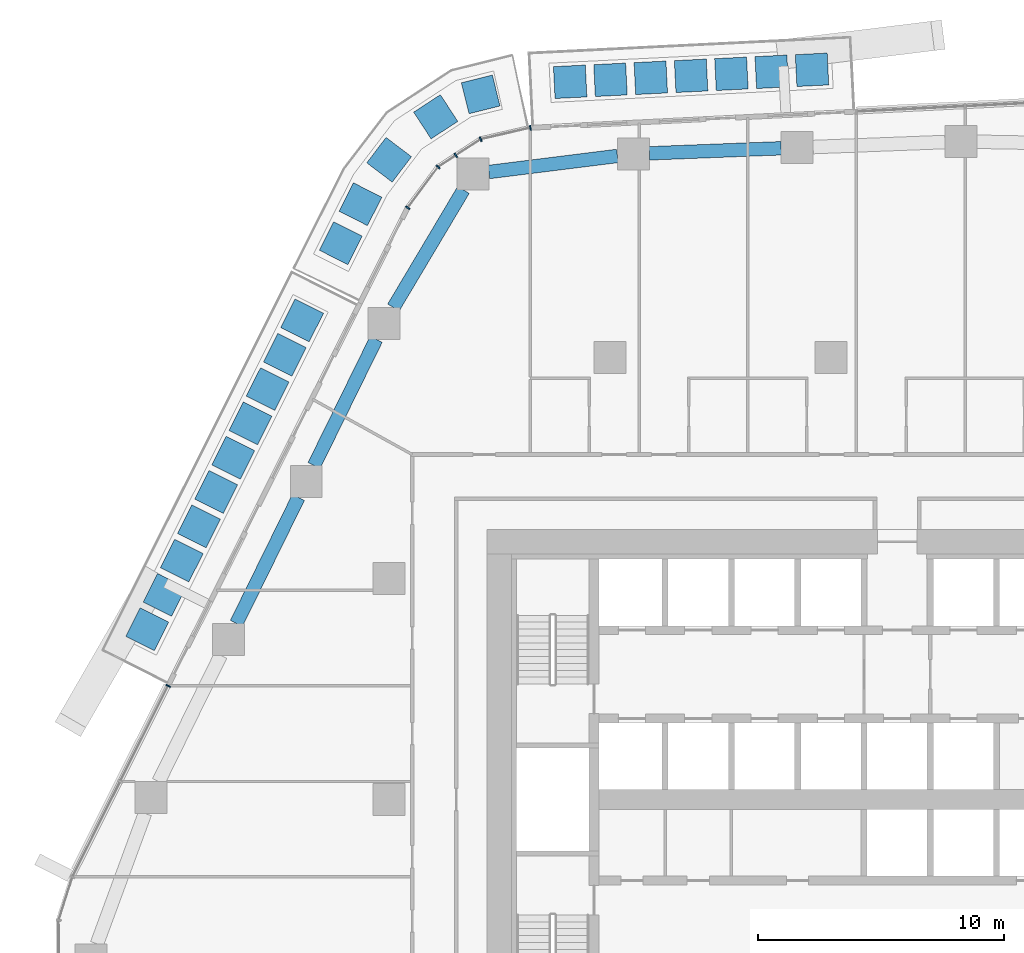
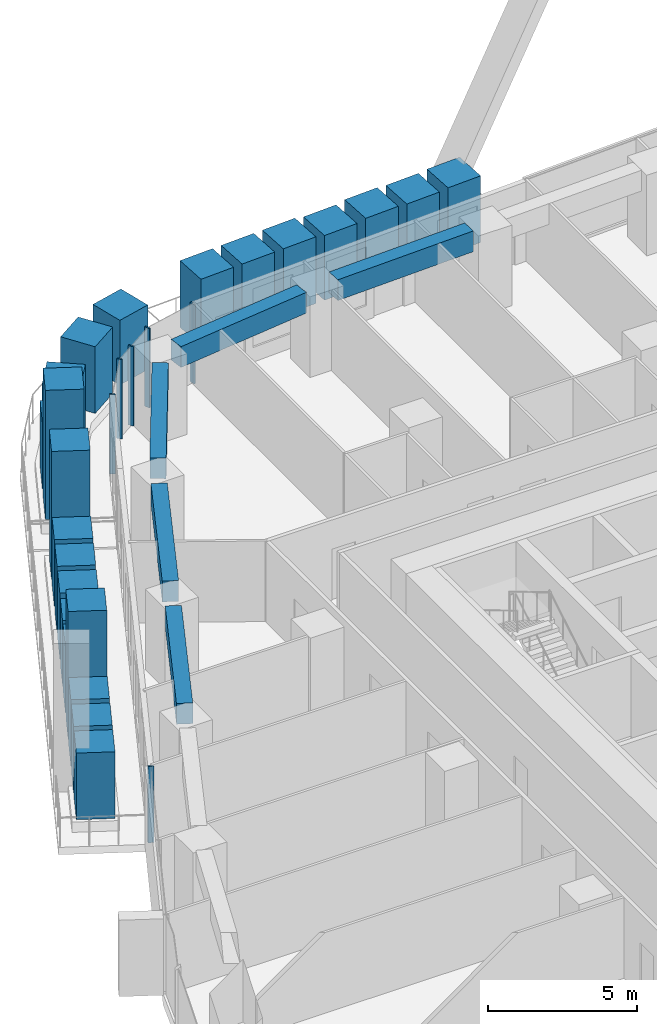
# One storey, part 6 of 25: 28 members, 5 beams, 3 elements without a shape of their own.
"""IFC4 building model written with IfcOpenShell, lengths in metres."""

from ifc_helpers import new_model, si_unit, direction, frame, origin, origin_2d, place, context, subcontext, project, spatial, rectangle, extrude, material, layer, layer_set, material_profile, profile_set, type_object, element, aggregate, save


model = new_model("IFC4")

# Units and contexts
model_context = context("Model", 3, precision=1e-05, world=origin(), true_north=direction((0.0, 1.0)))
body_context = subcontext(model_context, "Body", "Model", "MODEL_VIEW")
ifc_project = project(units=[si_unit("LENGTHUNIT", "METRE"), si_unit("AREAUNIT", "SQUARE_METRE"), si_unit("VOLUMEUNIT", "CUBIC_METRE"), si_unit("PLANEANGLEUNIT", "RADIAN"), si_unit("MASSUNIT", "GRAM", prefix="KILO")], contexts=[model_context])

# Site, building, storey
site_placement = place(None, origin())
site = spatial("IfcSite", under=ifc_project, at=site_placement, CompositionType="ELEMENT")
building_placement = place(site_placement, origin())
building = spatial("IfcBuilding", under=site, at=building_placement, Name="Dongbaek Canopy Tower", CompositionType="ELEMENT")
storey_placement = place(building_placement, frame((0.0, 0.0, 102.60009765625)))
storey = spatial("IfcBuildingStorey", under=building, at=storey_placement, Name="L21", CompositionType="ELEMENT", Elevation=102.60009765625)

# Curtain wall, members
ifc_material_1 = material(Name="Aluminium 6063-T6 pale anodised", Category="aluminium")
ifc_layer = layer(ifc_material_1, 0.199951171875)
ifc_layer_set = layer_set([ifc_layer], Name="CW-1 unitised tower curtain wall")
curtain_wall_type = type_object("IfcCurtainWallType", Name="CW-1 unitised tower curtain wall", PredefinedType="NOTDEFINED", material=ifc_layer_set)
curtain_wall_1_placement = place(storey_placement, origin())
curtain_wall_1 = element("IfcCurtainWall", 1, at=curtain_wall_1_placement, inside=storey, type_object=curtain_wall_type, Name="CW-1 curtain wall K2.1a", PredefinedType="NOTDEFINED")
ifc_material_2 = material(Name="Aluminium 6063-T6 pale anodised", Category="aluminium")
ifc_material_profile_1 = material_profile(ifc_material_2, rectangle(XDim=0.199951171875, YDim=0.06005859375, at=origin_2d()), Name="CW-1 mullion 60 x 200")
ifc_profile_set_1 = profile_set([ifc_material_profile_1], Name="Aluminium 6063-T6 pale anodised")
member_type_1 = type_object("IfcMemberType", Name="CW-1 mullion 60 x 200", PredefinedType="MULLION", material=ifc_profile_set_1)
member_1_placement = place(storey_placement, frame((-12.238037109375, 27.353759765625, 0.0), z_axis=(0.0, 0.0, 1.0), x_axis=(-0.223774189134, 0.974641017133, 0.0)))
member_1 = element("IfcMember", 2, at=member_1_placement, type_object=member_type_1, Name="CW-1 mullion K2.1a.1", PredefinedType="MULLION", context=body_context, shape_type="SweptSolid", body=[
    extrude(rectangle(XDim=0.199951171875, YDim=0.06005859375, at=origin_2d()), origin(), (0.0, 0.0, 1.0), 3.25),
])
member_2_placement = place(storey_placement, frame((-14.261474609375, 26.889404296875, 0.0), z_axis=(0.0, 0.0, 1.0), x_axis=(-0.39108657769, 0.920353893212, 0.0)))
member_2 = element("IfcMember", 3, at=member_2_placement, type_object=member_type_1, Name="CW-1 mullion K2.1a.2", PredefinedType="MULLION", context=body_context, shape_type="SweptSolid", body=[
    extrude(rectangle(XDim=0.199951171875, YDim=0.06005859375, at=origin_2d()), origin(), (0.0, 0.0, 1.0), 3.25),
])
member_3_placement = place(storey_placement, frame((-15.27099609375, 26.23095703125, 0.0), z_axis=(0.0, 0.0, 1.0), x_axis=(-0.546298541371, 0.837590534626, 0.0)))
member_3 = element("IfcMember", 4, at=member_3_placement, type_object=member_type_1, Name="CW-1 mullion K2.1a.3", PredefinedType="MULLION", context=body_context, shape_type="SweptSolid", body=[
    extrude(rectangle(XDim=0.199951171875, YDim=0.06005859375, at=origin_2d()), origin(), (0.0, 0.0, 1.0), 3.25),
])
aggregate(curtain_wall_1, [member_1, member_2, member_3])

curtain_wall_2_placement = place(storey_placement, origin())
curtain_wall_2 = element("IfcCurtainWall", 5, at=curtain_wall_2_placement, inside=storey, type_object=curtain_wall_type, Name="CW-1 curtain wall K2.1b", PredefinedType="NOTDEFINED")
member_4_placement = place(storey_placement, frame((-15.99267578125, 25.760009765625, 0.0), z_axis=(0.0, 0.0, 1.0), x_axis=(-0.684607740177, 0.728911683327, 0.0)))
member_4 = element("IfcMember", 6, at=member_4_placement, type_object=member_type_1, Name="CW-1 mullion K2.1b.2", PredefinedType="MULLION", context=body_context, shape_type="SweptSolid", body=[
    extrude(rectangle(XDim=0.199951171875, YDim=0.06005859375, at=origin_2d()), origin(), (0.0, 0.0, 1.0), 3.25),
])
member_5_placement = place(storey_placement, frame((-17.2333984375, 24.095703125, 0.0), z_axis=(0.0, 0.0, 1.0), x_axis=(-0.80173481458, 0.597679920267, 0.0)))
member_5 = element("IfcMember", 7, at=member_5_placement, type_object=member_type_1, Name="CW-1 mullion K2.1b.3", PredefinedType="MULLION", context=body_context, shape_type="SweptSolid", body=[
    extrude(rectangle(XDim=0.199951171875, YDim=0.06005859375, at=origin_2d()), origin(), (0.0, 0.0, 1.0), 3.25),
])
aggregate(curtain_wall_2, [member_4, member_5])

# Curtain wall, member
curtain_wall_3_placement = place(storey_placement, origin())
curtain_wall_3 = element("IfcCurtainWall", 8, at=curtain_wall_3_placement, inside=storey, type_object=curtain_wall_type, Name="CW-1 curtain wall F2.1", PredefinedType="NOTDEFINED")
member_6_placement = place(storey_placement, frame((-26.9873046875, 4.62841796875, 0.119873046875), z_axis=(0.0, 0.0, 1.0), x_axis=(-0.894055791151, 0.447955625381, 0.0)))
member_6 = element("IfcMember", 9, at=member_6_placement, type_object=member_type_1, Name="CW-1 mullion F2.1.1", PredefinedType="MULLION", context=body_context, shape_type="SweptSolid", body=[
    extrude(rectangle(XDim=0.199951171875, YDim=0.06005859375, at=origin_2d()), origin(), (0.0, 0.0, 1.0), 3.130126953125),
])
aggregate(curtain_wall_3, [member_6])

# Beams
ifc_material_3 = material(Name="Concrete C80", Category="concrete")
ifc_material_profile_2 = material_profile(ifc_material_3, rectangle(XDim=0.550048828125, YDim=0.85009765625, at=origin_2d()), Name="RC EDGE BEAM 550x850 C80")
ifc_profile_set_2 = profile_set([ifc_material_profile_2], Name="Concrete C80")
beam_type = type_object("IfcBeamType", Name="RC EDGE BEAM 550x850 C80", PredefinedType="BEAM", material=ifc_profile_set_2)
beam_1_placement = place(storey_placement, frame((-24.209228515625, 7.16796875, 2.875), z_axis=(0.441418224378, 0.897301482885, 0.0), x_axis=(-0.897301482885, 0.441418224378, 0.0)))
element("IfcBeam", 10, at=beam_1_placement, inside=storey, type_object=beam_type, Name="EDGEBEAM:L21:10", PredefinedType="BEAM", context=body_context, shape_type="SweptSolid", body=[
    extrude(rectangle(XDim=0.550048828125, YDim=0.85009765625, at=origin_2d()), origin(), (0.0, 0.0, 1.0), 5.7216796875),
])
beam_2_placement = place(storey_placement, frame((-21.044189453125, 13.60205078125, 2.875), z_axis=(0.441383867887, 0.89731838339, 0.0), x_axis=(-0.89731838339, 0.441383867887, 0.0)))
element("IfcBeam", 11, at=beam_2_placement, inside=storey, type_object=beam_type, Name="EDGEBEAM:L21:11", PredefinedType="BEAM", context=body_context, shape_type="SweptSolid", body=[
    extrude(rectangle(XDim=0.550048828125, YDim=0.85009765625, at=origin_2d()), origin(), (0.0, 0.0, 1.0), 5.721435546875),
])
beam_3_placement = place(storey_placement, frame((-17.81201171875, 20.035888671875, 2.875), z_axis=(0.511514682827, 0.859274536602, 0.0), x_axis=(-0.859274536602, 0.511514682827, 0.0)))
element("IfcBeam", 12, at=beam_3_placement, inside=storey, type_object=beam_type, Name="EDGEBEAM:L21:12", PredefinedType="BEAM", context=body_context, shape_type="SweptSolid", body=[
    extrude(rectangle(XDim=0.550048828125, YDim=0.85009765625, at=origin_2d()), origin(), (0.0, 0.0, 1.0), 5.570068359375),
])
beam_4_placement = place(storey_placement, frame((-13.926025390625, 25.55322265625, 2.875), z_axis=(0.992297087152, 0.123880954265, 0.0), x_axis=(-0.123880954265, 0.992297087152, 0.0)))
element("IfcBeam", 13, at=beam_4_placement, inside=storey, type_object=beam_type, Name="EDGEBEAM:L21:13", PredefinedType="BEAM", context=body_context, shape_type="SweptSolid", body=[
    extrude(rectangle(XDim=0.550048828125, YDim=0.85009765625, at=origin_2d()), origin(), (0.0, 0.0, 1.0), 5.275634765625),
])
beam_5_placement = place(storey_placement, frame((-7.39111328125, 26.31298828125, 2.875), z_axis=(0.999264392696, 0.038349361015, 0.0), x_axis=(-0.038349361015, 0.999264392696, 0.0)))
element("IfcBeam", 14, at=beam_5_placement, inside=storey, type_object=beam_type, Name="EDGEBEAM:L21:14", PredefinedType="BEAM", context=body_context, shape_type="SweptSolid", body=[
    extrude(rectangle(XDim=0.550048828125, YDim=0.85009765625, at=origin_2d()), origin(), (0.0, 0.0, 1.0), 5.373046875),
])

# Members
ifc_material_4 = material(Name="Concrete C40/50 planter mass with planting", Category="concrete")
ifc_material_profile_3 = material_profile(ifc_material_4, rectangle(XDim=1.300048828125, YDim=1.300048828125, at=origin_2d()), Name="Terrace PLANTER shrub mass 1300 x 1300")
ifc_profile_set_3 = profile_set([ifc_material_profile_3], Name="Concrete C40/50 planter mass with planting")
member_type_2 = type_object("IfcMemberType", Name="Terrace PLANTER shrub mass 1300 x 1300", PredefinedType="USERDEFINED", material=ifc_profile_set_3)
member_7_placement = place(storey_placement, frame((-0.76611328125, 29.715087890625, 0.419921875), z_axis=(0.0, 0.0, 1.0), x_axis=(-0.049538109177, 0.998772234165, 0.0)))
element("IfcMember", 15, at=member_7_placement, inside=storey, type_object=member_type_2, Name="Planter shrubs L21 2.1", ObjectType="PLANTER", PredefinedType="USERDEFINED", context=body_context, shape_type="SweptSolid", body=[
    extrude(rectangle(XDim=1.300048828125, YDim=1.300048828125, at=origin_2d()), origin(), (0.0, 0.0, 1.0), 2.72998046875),
])
member_8_placement = place(storey_placement, frame((-2.40771484375, 29.633544921875, 0.419921875), z_axis=(0.0, 0.0, 1.0), x_axis=(-0.049538109177, 0.998772234165, 0.0)))
element("IfcMember", 16, at=member_8_placement, inside=storey, type_object=member_type_2, Name="Planter shrubs L21 2.2", ObjectType="PLANTER", PredefinedType="USERDEFINED", context=body_context, shape_type="SweptSolid", body=[
    extrude(rectangle(XDim=1.300048828125, YDim=1.300048828125, at=origin_2d()), origin(), (0.0, 0.0, 1.0), 2.68994140625),
])
member_9_placement = place(storey_placement, frame((-4.04931640625, 29.55224609375, 0.419921875), z_axis=(0.0, 0.0, 1.0), x_axis=(-0.049538109177, 0.998772234165, 0.0)))
element("IfcMember", 17, at=member_9_placement, inside=storey, type_object=member_type_2, Name="Planter shrubs L21 2.3", ObjectType="PLANTER", PredefinedType="USERDEFINED", context=body_context, shape_type="SweptSolid", body=[
    extrude(rectangle(XDim=1.300048828125, YDim=1.300048828125, at=origin_2d()), origin(), (0.0, 0.0, 1.0), 2.72998046875),
])
member_10_placement = place(storey_placement, frame((-5.69091796875, 29.470703125, 0.419921875), z_axis=(0.0, 0.0, 1.0), x_axis=(-0.049538109177, 0.998772234165, 0.0)))
element("IfcMember", 18, at=member_10_placement, inside=storey, type_object=member_type_2, Name="Planter shrubs L21 2.4", ObjectType="PLANTER", PredefinedType="USERDEFINED", context=body_context, shape_type="SweptSolid", body=[
    extrude(rectangle(XDim=1.300048828125, YDim=1.300048828125, at=origin_2d()), origin(), (0.0, 0.0, 1.0), 2.64990234375),
])
for number, where, z_axis, x_axis, name in (
    (19, (-7.33251953125, 29.389404296875, 0.419921875), (0.0, 0.0, 1.0), (-0.049538109177, 0.998772234165, 0.0), "Planter shrubs L21 2.5"),
    (20, (-8.97412109375, 29.307861328125, 0.419921875), (0.0, 0.0, 1.0), (-0.049538109177, 0.998772234165, 0.0), "Planter shrubs L21 2.6"),
    (21, (-10.615966796875, 29.2265625, 0.419921875), (0.0, 0.0, 1.0), (-0.049538109177, 0.998772234165, 0.0), "Planter shrubs L21 2.7"),
):
    element("IfcMember", number, at=place(storey_placement, frame(where, z_axis=z_axis, x_axis=x_axis)), inside=storey, type_object=member_type_2, Name=name, ObjectType="PLANTER", PredefinedType="USERDEFINED", context=body_context, shape_type="SweptSolid", body=[
        extrude(rectangle(XDim=1.300048828125, YDim=1.300048828125, at=origin_2d()), origin(), (0.0, 0.0, 1.0), 2.72998046875),
    ])
member_11_placement = place(storey_placement, frame((-21.53466796875, 19.507080078125, 0.419921875), z_axis=(0.0, 0.0, 1.0), x_axis=(-0.894055791151, 0.447955625381, 0.0)))
element("IfcMember", 22, at=member_11_placement, inside=storey, type_object=member_type_2, Name="Planter tree L21 3.1", ObjectType="PLANTER", PredefinedType="USERDEFINED", context=body_context, shape_type="SweptSolid", body=[
    extrude(rectangle(XDim=1.300048828125, YDim=1.300048828125, at=origin_2d()), origin(), (0.0, 0.0, 1.0), 5.25),
])
for number, where, z_axis, x_axis, name in (
    (23, (-22.234619140625, 18.110107421875, 0.419921875), (0.0, 0.0, 1.0), (-0.894055791151, 0.447955625381, 0.0), "Planter shrubs L21 3.2"),
    (24, (-22.9345703125, 16.712890625, 0.419921875), (0.0, 0.0, 1.0), (-0.894055791151, 0.447955625381, 0.0), "Planter shrubs L21 3.3"),
    (25, (-23.634521484375, 15.31591796875, 0.419921875), (0.0, 0.0, 1.0), (-0.894055791151, 0.447955625381, 0.0), "Planter shrubs L21 3.4"),
):
    element("IfcMember", number, at=place(storey_placement, frame(where, z_axis=z_axis, x_axis=x_axis)), inside=storey, type_object=member_type_2, Name=name, ObjectType="PLANTER", PredefinedType="USERDEFINED", context=body_context, shape_type="SweptSolid", body=[
        extrude(rectangle(XDim=1.300048828125, YDim=1.300048828125, at=origin_2d()), origin(), (0.0, 0.0, 1.0), 2.72998046875),
    ])
member_12_placement = place(storey_placement, frame((-24.334716796875, 13.918701171875, 0.419921875), z_axis=(0.0, 0.0, 1.0), x_axis=(-0.894055791151, 0.447955625381, 0.0)))
element("IfcMember", 26, at=member_12_placement, inside=storey, type_object=member_type_2, Name="Planter shrubs L21 3.5", ObjectType="PLANTER", PredefinedType="USERDEFINED", context=body_context, shape_type="SweptSolid", body=[
    extrude(rectangle(XDim=1.300048828125, YDim=1.300048828125, at=origin_2d()), origin(), (0.0, 0.0, 1.0), 2.68994140625),
])
member_13_placement = place(storey_placement, frame((-25.03466796875, 12.521728515625, 0.419921875), z_axis=(0.0, 0.0, 1.0), x_axis=(-0.894055791151, 0.447955625381, 0.0)))
element("IfcMember", 27, at=member_13_placement, inside=storey, type_object=member_type_2, Name="Planter shrubs L21 3.6", ObjectType="PLANTER", PredefinedType="USERDEFINED", context=body_context, shape_type="SweptSolid", body=[
    extrude(rectangle(XDim=1.300048828125, YDim=1.300048828125, at=origin_2d()), origin(), (0.0, 0.0, 1.0), 2.72998046875),
])
member_14_placement = place(storey_placement, frame((-25.734619140625, 11.12451171875, 0.419921875), z_axis=(0.0, 0.0, 1.0), x_axis=(-0.894055791151, 0.447955625381, 0.0)))
element("IfcMember", 28, at=member_14_placement, inside=storey, type_object=member_type_2, Name="Planter tree L21 3.7", ObjectType="PLANTER", PredefinedType="USERDEFINED", context=body_context, shape_type="SweptSolid", body=[
    extrude(rectangle(XDim=1.300048828125, YDim=1.300048828125, at=origin_2d()), origin(), (0.0, 0.0, 1.0), 5.25),
])
for number, where, z_axis, x_axis, name in (
    (29, (-26.4345703125, 9.7275390625, 0.419921875), (0.0, 0.0, 1.0), (-0.894055791151, 0.447955625381, 0.0), "Planter shrubs L21 3.8"),
    (30, (-27.134521484375, 8.330322265625, 0.419921875), (0.0, 0.0, 1.0), (-0.894055791151, 0.447955625381, 0.0), "Planter shrubs L21 3.9"),
    (31, (-27.834716796875, 6.933349609375, 0.419921875), (0.0, 0.0, 1.0), (-0.894055791151, 0.447955625381, 0.0), "Planter shrubs L21 3.10"),
):
    element("IfcMember", number, at=place(storey_placement, frame(where, z_axis=z_axis, x_axis=x_axis)), inside=storey, type_object=member_type_2, Name=name, ObjectType="PLANTER", PredefinedType="USERDEFINED", context=body_context, shape_type="SweptSolid", body=[
        extrude(rectangle(XDim=1.300048828125, YDim=1.300048828125, at=origin_2d()), origin(), (0.0, 0.0, 1.0), 2.72998046875),
    ])
member_15_placement = place(storey_placement, frame((-14.259033203125, 28.713134765625, 0.419921875), z_axis=(0.0, 0.0, 1.0), x_axis=(-0.241323932248, 0.970444619607, 0.0)))
element("IfcMember", 32, at=member_15_placement, inside=storey, type_object=member_type_2, Name="Planter shrubs L21 7.1", ObjectType="PLANTER", PredefinedType="USERDEFINED", context=body_context, shape_type="SweptSolid", body=[
    extrude(rectangle(XDim=1.300048828125, YDim=1.300048828125, at=origin_2d()), origin(), (0.0, 0.0, 1.0), 2.64990234375),
])
for number, where, z_axis, x_axis, name in (
    (33, (-16.090576171875, 27.802001953125, 0.419921875), (0.0, 0.0, 1.0), (-0.546298541371, 0.837590534626, 0.0), "Planter shrubs L21 7.2"),
    (34, (-17.98828125, 26.05078125, 0.419921875), (0.0, 0.0, 1.0), (-0.797113511965, 0.603829486729, 0.0), "Planter shrubs L21 7.3"),
    (35, (-19.156982421875, 24.241455078125, 0.419921875), (0.0, 0.0, 1.0), (-0.893229129784, 0.449601736769, 0.0), "Planter shrubs L21 7.4"),
):
    element("IfcMember", number, at=place(storey_placement, frame(where, z_axis=z_axis, x_axis=x_axis)), inside=storey, type_object=member_type_2, Name=name, ObjectType="PLANTER", PredefinedType="USERDEFINED", context=body_context, shape_type="SweptSolid", body=[
        extrude(rectangle(XDim=1.300048828125, YDim=1.300048828125, at=origin_2d()), origin(), (0.0, 0.0, 1.0), 2.72998046875),
    ])
member_16_placement = place(storey_placement, frame((-19.956298828125, 22.653564453125, 0.419921875), z_axis=(0.0, 0.0, 1.0), x_axis=(-0.893229129784, 0.449601736769, 0.0)))
element("IfcMember", 36, at=member_16_placement, inside=storey, type_object=member_type_2, Name="Planter tree L21 7.5", ObjectType="PLANTER", PredefinedType="USERDEFINED", context=body_context, shape_type="SweptSolid", body=[
    extrude(rectangle(XDim=1.300048828125, YDim=1.300048828125, at=origin_2d()), origin(), (0.0, 0.0, 1.0), 5.2900390625),
])

save(model, "model.ifc")
